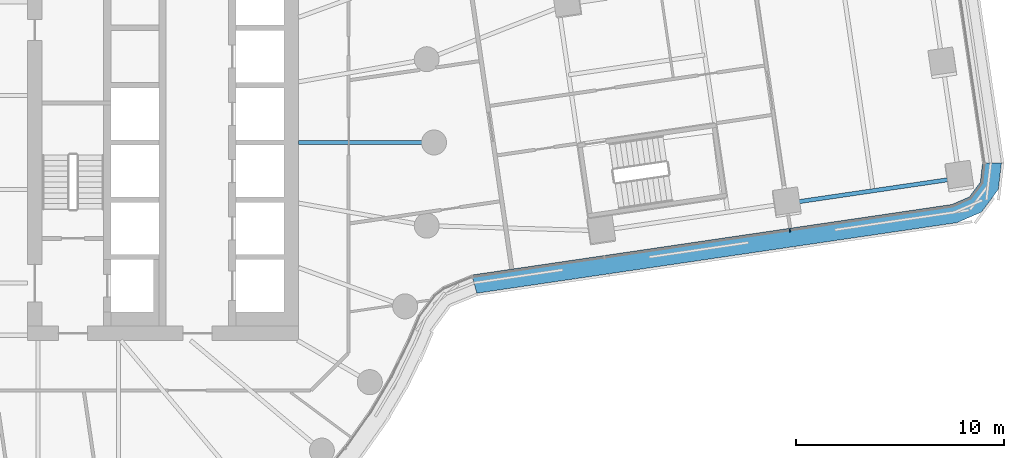
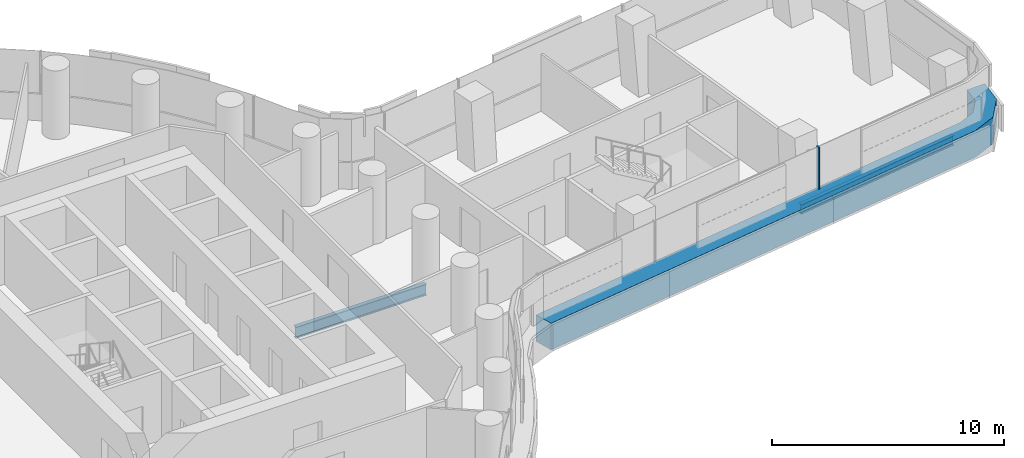
# One storey, part 10 of 31: 2 beams, 2 members, 1 element without a shape of its own.
"""IFC4 building model written with IfcOpenShell, lengths in metres."""

from ifc_helpers import new_model, si_unit, direction, frame, origin, origin_2d, place, context, subcontext, project, spatial, polyline, rectangle, i_section, outline, extrude, material, layer, layer_set, material_profile, profile_set, type_object, element, aggregate, save


model = new_model("IFC4")

# Units and contexts
model_context = context("Model", 3, precision=1e-05, world=origin(), true_north=direction((0.0, 1.0)))
body_context = subcontext(model_context, "Body", "Model", "MODEL_VIEW")
ifc_project = project(units=[si_unit("LENGTHUNIT", "METRE"), si_unit("AREAUNIT", "SQUARE_METRE"), si_unit("VOLUMEUNIT", "CUBIC_METRE"), si_unit("PLANEANGLEUNIT", "RADIAN"), si_unit("MASSUNIT", "GRAM", prefix="KILO")], contexts=[model_context])

# Site, building, storey
site_placement = place(None, origin())
site = spatial("IfcSite", under=ifc_project, at=site_placement, CompositionType="ELEMENT")
building_placement = place(site_placement, origin())
building = spatial("IfcBuilding", under=site, at=building_placement, Name="Tamarind Cross Interchange Tower", CompositionType="ELEMENT")
storey_placement = place(building_placement, frame((0.0, 0.0, 64.0)))
storey = spatial("IfcBuildingStorey", under=building, at=storey_placement, Name="L14", CompositionType="ELEMENT", Elevation=64.0)

# Beams
ifc_material_1 = material(Name="Steel Q355B", Category="steel")
ifc_material_profile_1 = material_profile(ifc_material_1, i_section(OverallWidth=0.198974609375, OverallDepth=0.49609375, WebThickness=0.009033203125, FlangeThickness=0.013916015625, FilletRadius=0.012939453125, at=origin_2d()), Name="HN 496x199x9x14")
ifc_profile_set_1 = profile_set([ifc_material_profile_1], Name="Steel Q355B")
beam_type_1 = type_object("IfcBeamType", Name="Composite beam HN 496x199x9x14 Q355B", PredefinedType="BEAM", material=ifc_profile_set_1)
beam_1_placement = place(storey_placement, frame((48.209228515625, -1.708251953125, -0.387939453125), z_axis=(-0.989378362576, -0.145363185388, 0.0), x_axis=(0.145363185388, -0.989378362576, 0.0)))
element("IfcBeam", 1, at=beam_1_placement, inside=storey, type_object=beam_type_1, Name="Beam E-edgeem5", PredefinedType="BEAM", context=body_context, shape_type="SweptSolid", body=[
    extrude(i_section(OverallWidth=0.198974609375, OverallDepth=0.49609375, WebThickness=0.009033203125, FlangeThickness=0.013916015625, FilletRadius=0.012939453125, at=origin_2d()), origin(), (0.0, 0.0, 1.0), 8.382568359375),
])
ifc_material_profile_2 = material_profile(ifc_material_1, i_section(OverallWidth=0.198974609375, OverallDepth=0.595947265625, WebThickness=0.010009765625, FlangeThickness=0.014892578125, FilletRadius=0.012939453125, at=origin_2d()), Name="HN 596x199x10x15")
ifc_profile_set_2 = profile_set([ifc_material_profile_2], Name="Steel Q355B")
beam_type_2 = type_object("IfcBeamType", Name="Composite beam HN 596x199x10x15 Q355B", PredefinedType="BEAM", material=ifc_profile_set_2)
beam_2_placement = place(storey_placement, frame((23.0, 0.0, -0.43798828125), z_axis=(-1.0, 0.0, 0.0), x_axis=(0.0, -1.0, 0.0)))
element("IfcBeam", 2, at=beam_2_placement, inside=storey, type_object=beam_type_2, Name="Beam HH00", PredefinedType="BEAM", context=body_context, shape_type="SweptSolid", body=[
    extrude(i_section(OverallWidth=0.198974609375, OverallDepth=0.595947265625, WebThickness=0.010009765625, FlangeThickness=0.014892578125, FilletRadius=0.012939453125, at=origin_2d()), origin(), (0.0, 0.0, 1.0), 6.5),
])

# Curtain wall, members
ifc_material_2 = material(Name="Aluminium 6063-T6", Category="aluminium")
ifc_layer = layer(ifc_material_2, 0.159912109375)
ifc_layer_set = layer_set([ifc_layer], Name="Aluminium 6063-T6")
curtain_wall_type = type_object("IfcCurtainWallType", Name="Office curtain wall, 9.0 m bays", PredefinedType="NOTDEFINED", material=ifc_layer_set)
curtain_wall_placement = place(storey_placement, origin())
curtain_wall = element("IfcCurtainWall", 3, at=curtain_wall_placement, inside=storey, type_object=curtain_wall_type, Name="CWS-L14-07", PredefinedType="NOTDEFINED")
ifc_material_3 = material(Name="Aluminium and insulated spandrel panel", Category="aluminium")
member_type_1 = type_object("IfcMemberType", Name="Floor-edge blade transom", PredefinedType="USERDEFINED", material=ifc_material_3)
member_1_placement = place(storey_placement, origin())
member_1 = element("IfcMember", 4, at=member_1_placement, type_object=member_type_1, Name="CWT-L14-07", ObjectType="TRANSOM", PredefinedType="USERDEFINED", context=body_context, shape_type="SweptSolid", body=[
    extrude(outline(polyline([(24.815185546875, -6.3583984375), (47.85009765625, -2.973876953125), (48.6904296875, -2.611083984375), (49.21240234375, -1.9091796875), (49.318115234375, -1.0), (50.225830078125, -0.986328125), (50.078369140625, -2.2529296875), (49.2685546875, -3.341552734375), (48.09814453125, -3.84716796875), (25.052978515625, -7.23291015625), (24.815185546875, -6.3583984375)])), origin(), (0.0, 0.0, 1.0), 1.39990234375),
])
ifc_material_profile_3 = material_profile(ifc_material_2, rectangle(XDim=0.06005859375, YDim=0.159912109375, at=origin_2d()), Name="Mullion CW1")
ifc_profile_set_3 = profile_set([ifc_material_profile_3], Name="Aluminium 6063-T6")
member_type_2 = type_object("IfcMemberType", Name="Mullion CW1", PredefinedType="MULLION", material=ifc_profile_set_3)
member_2_placement = place(storey_placement, frame((40.07958984375, -4.216552734375, 1.39990234375), z_axis=(0.0, 0.0, 1.0), x_axis=(0.989378136803, 0.14536472205, 0.0)))
member_2 = element("IfcMember", 5, at=member_2_placement, type_object=member_type_2, Name="CWM-L14-07-02", PredefinedType="MULLION", context=body_context, shape_type="SweptSolid", body=[
    extrude(rectangle(XDim=0.06005859375, YDim=0.159912109375, at=origin_2d()), origin(), (0.0, 0.0, 1.0), 2.210205078125),
])
aggregate(curtain_wall, [member_2, member_1])

save(model, "model.ifc")
